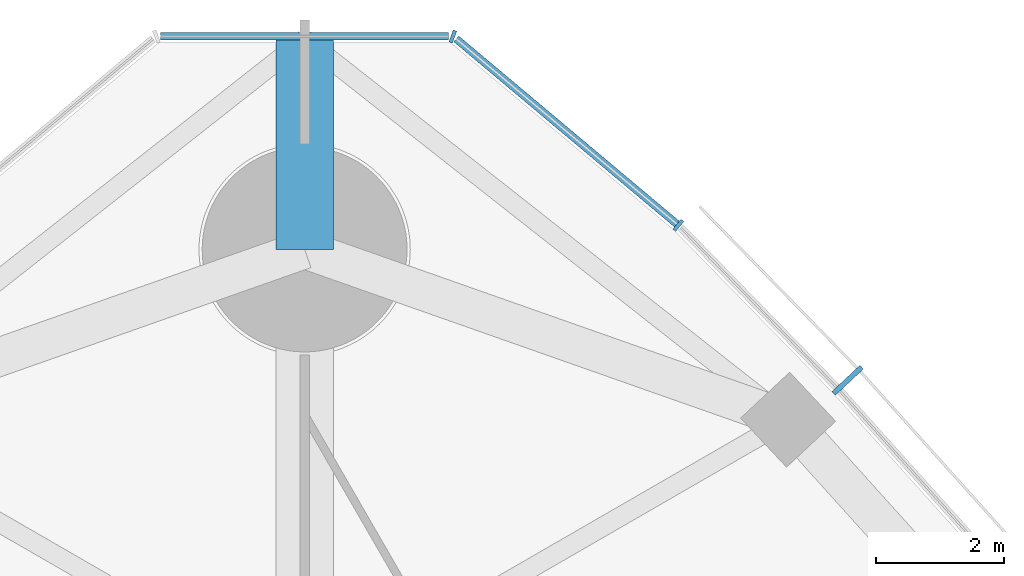
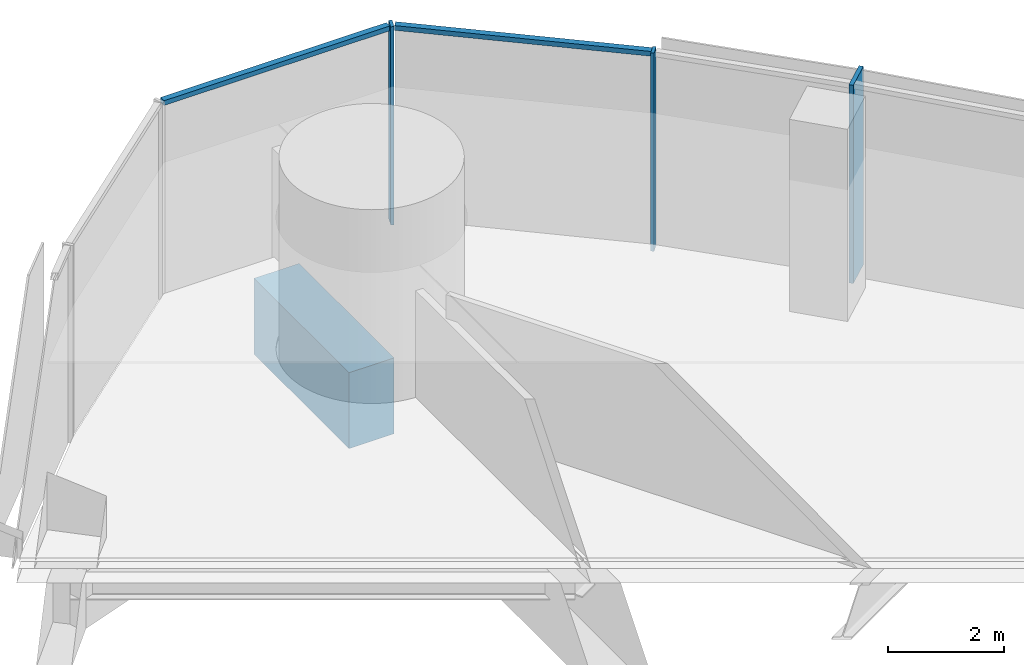
# One storey, part 8 of 19: 5 members, 1 beam, 2 elements without a shape of their own.
"""IFC4 building model written with IfcOpenShell, lengths in metres."""

from ifc_helpers import new_model, si_unit, direction, frame, origin, origin_2d, place, context, subcontext, project, spatial, rectangle, extrude, material, material_profile, profile_set, type_object, element, aggregate, save


model = new_model("IFC4")

# Units and contexts
model_context = context("Model", 3, precision=1e-05, world=origin(), true_north=direction((0.0, 1.0)))
body_context = subcontext(model_context, "Body", "Model", "MODEL_VIEW")
ifc_project = project(units=[si_unit("LENGTHUNIT", "METRE"), si_unit("AREAUNIT", "SQUARE_METRE"), si_unit("VOLUMEUNIT", "CUBIC_METRE"), si_unit("PLANEANGLEUNIT", "RADIAN"), si_unit("MASSUNIT", "GRAM", prefix="KILO")], contexts=[model_context])

# Site, building, storey
site_placement = place(None, origin())
site = spatial("IfcSite", under=ifc_project, at=site_placement, CompositionType="ELEMENT")
building_placement = place(site_placement, origin())
building = spatial("IfcBuilding", under=site, at=building_placement, Name="Trefoil Bronze Tower", CompositionType="ELEMENT")
storey_placement = place(building_placement, frame((0.0, 0.0, 227.5)))
storey = spatial("IfcBuildingStorey", under=building, at=storey_placement, Name="L52", CompositionType="ELEMENT", Elevation=227.5)

# Curtain wall, member
ifc_material_1 = material(Name="Tinted solar-control glass", Category="glass")
curtain_wall_type_1 = type_object("IfcCurtainWallType", Name="Bronze office curtain wall", PredefinedType="USERDEFINED", material=ifc_material_1)
curtain_wall_1_placement = place(storey_placement, origin())
curtain_wall_1 = element("IfcCurtainWall", 1, at=curtain_wall_1_placement, inside=storey, type_object=curtain_wall_type_1, Name="CW-A L52 F2", ObjectType="CURTAIN WALL", PredefinedType="USERDEFINED")
ifc_material_2 = material(Name="Bronze-finish aluminium", Category="aluminium")
ifc_material_profile_1 = material_profile(ifc_material_2, rectangle(XDim=0.60009765625, YDim=0.080078125, at=origin_2d()), Name="CW-A mullion")
ifc_profile_set_1 = profile_set([ifc_material_profile_1], Name="Bronze-finish aluminium")
member_type_1 = type_object("IfcMemberType", Name="Bronze office curtain wall mullion", PredefinedType="MULLION", material=ifc_profile_set_1)
member_1_placement = place(storey_placement, frame((8.482177734375, 30.95654296875, 0.0), z_axis=(0.0, 0.0, 1.0), x_axis=(-0.729859580661, -0.683597098091, 0.0)))
member_1 = element("IfcMember", 2, at=member_1_placement, type_object=member_type_1, Name="CW-A L52 F2 mullion 12", PredefinedType="MULLION", context=body_context, shape_type="SweptSolid", body=[
    extrude(rectangle(XDim=0.60009765625, YDim=0.080078125, at=origin_2d()), origin(), (0.0, 0.0, 1.0), 4.179931640625),
])
aggregate(curtain_wall_1, [member_1])

# Curtain wall, members
ifc_material_3 = material(Name="Tinted solar-control glass", Category="glass")
curtain_wall_type_2 = type_object("IfcCurtainWallType", Name="Bronze rounded corner curtain wall", PredefinedType="USERDEFINED", material=ifc_material_3)
curtain_wall_2_placement = place(storey_placement, origin())
curtain_wall_2 = element("IfcCurtainWall", 3, at=curtain_wall_2_placement, inside=storey, type_object=curtain_wall_type_2, Name="CW-B L52 K2", ObjectType="CURTAIN WALL", PredefinedType="USERDEFINED")
ifc_material_4 = material(Name="Bronze-finish aluminium", Category="aluminium")
ifc_material_profile_2 = material_profile(ifc_material_4, rectangle(XDim=0.199951171875, YDim=0.06005859375, at=origin_2d()), Name="CW-B mullion")
ifc_profile_set_2 = profile_set([ifc_material_profile_2], Name="Bronze-finish aluminium")
member_type_2 = type_object("IfcMemberType", Name="Bronze rounded corner curtain wall mullion", PredefinedType="MULLION", material=ifc_profile_set_2)
member_2_placement = place(storey_placement, frame((5.837890625, 33.3779296875, 0.0), z_axis=(0.0, 0.0, 1.0), x_axis=(-0.642787609687, -0.766044443119, 0.0)))
member_2 = element("IfcMember", 4, at=member_2_placement, type_object=member_type_2, Name="CW-B L52 K2 mullion 1", PredefinedType="MULLION", context=body_context, shape_type="SweptSolid", body=[
    extrude(rectangle(XDim=0.199951171875, YDim=0.06005859375, at=origin_2d()), origin(), (0.0, 0.0, 1.0), 4.179931640625),
])
member_3_placement = place(storey_placement, frame((2.314453125, 36.326416015625, 0.0), z_axis=(0.0, 0.0, 1.0), x_axis=(-0.342020143326, -0.939692620786, 0.0)))
member_3 = element("IfcMember", 5, at=member_3_placement, type_object=member_type_2, Name="CW-B L52 K2 mullion 2", PredefinedType="MULLION", context=body_context, shape_type="SweptSolid", body=[
    extrude(rectangle(XDim=0.199951171875, YDim=0.06005859375, at=origin_2d()), origin(), (0.0, 0.0, 1.0), 4.179931640625),
])
ifc_material_5 = material(Name="Bronze-finish aluminium", Category="aluminium")
ifc_material_profile_3 = material_profile(ifc_material_5, rectangle(XDim=0.1201171875, YDim=0.10009765625, at=origin_2d()), Name="CW-B transom")
ifc_profile_set_3 = profile_set([ifc_material_profile_3], Name="Bronze-finish aluminium")
member_type_3 = type_object("IfcMemberType", Name="Bronze rounded corner curtain wall transom", PredefinedType="USERDEFINED", material=ifc_profile_set_3)
member_4_placement = place(storey_placement, frame((5.814697265625, 33.397216796875, 4.1298828125), z_axis=(-0.766046761698, 0.642784846501, 0.0), x_axis=(-0.642784846501, -0.766046761698, 0.0)))
member_4 = element("IfcMember", 6, at=member_4_placement, type_object=member_type_3, Name="CW-B L52 K2 transom 1", ObjectType="TRANSOM", PredefinedType="USERDEFINED", context=body_context, shape_type="SweptSolid", body=[
    extrude(rectangle(XDim=0.1201171875, YDim=0.10009765625, at=origin_2d()), origin(), (0.0, 0.0, 1.0), 4.5),
])
member_5_placement = place(storey_placement, frame((2.250244140625, 36.33251953125, 4.1298828125), z_axis=(-1.0, 0.0, 0.0), x_axis=(0.0, -1.0, 0.0)))
member_5 = element("IfcMember", 7, at=member_5_placement, type_object=member_type_3, Name="CW-B L52 K2 transom 2", ObjectType="TRANSOM", PredefinedType="USERDEFINED", context=body_context, shape_type="SweptSolid", body=[
    extrude(rectangle(XDim=0.1201171875, YDim=0.10009765625, at=origin_2d()), origin(), (0.0, 0.0, 1.0), 4.50048828125),
])
aggregate(curtain_wall_2, [member_2, member_3, member_4, member_5])

# Beam
ifc_material_6 = material(Name="Concrete B80", Category="concrete")
ifc_material_profile_4 = material_profile(ifc_material_6, rectangle(XDim=0.89990234375, YDim=1.60009765625, at=origin_2d()), Name="RC 900x1600")
ifc_profile_set_4 = profile_set([ifc_material_profile_4], Name="Concrete B80")
beam_type = type_object("IfcBeamType", Name="Corner cantilever RC 900x1600", PredefinedType="BEAM", material=ifc_profile_set_4)
beam_placement = place(storey_placement, frame((0.0, 33.0, -1.0), z_axis=(0.0, 1.0, 0.0), x_axis=(-1.0, 0.0, 0.0)))
element("IfcBeam", 8, at=beam_placement, inside=storey, type_object=beam_type, Name="Corner cantilever K2 L52", PredefinedType="BEAM", context=body_context, shape_type="SweptSolid", body=[
    extrude(rectangle(XDim=0.89990234375, YDim=1.60009765625, at=origin_2d()), origin(), (0.0, 0.0, 1.0), 3.28466796875),
])

save(model, "model.ifc")
